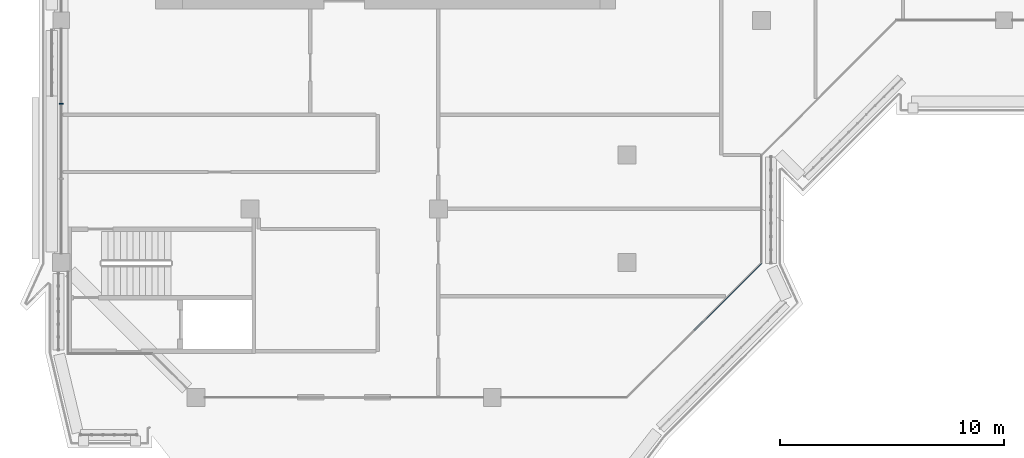
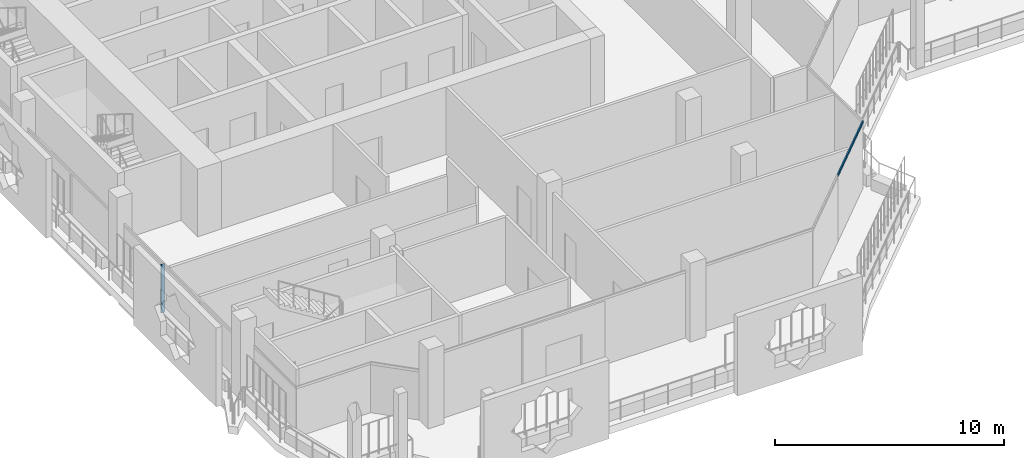
# One storey, part 3 of 21: 2 members, 2 elements without a shape of their own.
"""IFC4 building model written with IfcOpenShell, lengths in metres."""

from ifc_helpers import new_model, si_unit, direction, frame, origin, origin_2d, place, context, subcontext, project, spatial, rectangle, extrude, material, layer, layer_set, material_profile, profile_set, type_object, element, aggregate, save


model = new_model("IFC4")

# Units and contexts
model_context = context("Model", 3, precision=1e-05, world=origin(), true_north=direction((0.0, 1.0)))
body_context = subcontext(model_context, "Body", "Model", "MODEL_VIEW")
ifc_project = project(units=[si_unit("LENGTHUNIT", "METRE"), si_unit("AREAUNIT", "SQUARE_METRE"), si_unit("VOLUMEUNIT", "CUBIC_METRE"), si_unit("PLANEANGLEUNIT", "RADIAN"), si_unit("MASSUNIT", "GRAM", prefix="KILO")], contexts=[model_context])

# Site, building, storey
site_placement = place(None, origin())
site = spatial("IfcSite", under=ifc_project, at=site_placement, CompositionType="ELEMENT")
building_placement = place(site_placement, origin())
building = spatial("IfcBuilding", under=site, at=building_placement, Name="Kawkab Arch Medical Tower", CompositionType="ELEMENT")
storey_placement = place(building_placement, frame((0.0, 0.0, 319.60009765625)))
storey = spatial("IfcBuildingStorey", under=building, at=storey_placement, Name="L74", CompositionType="ELEMENT", Elevation=319.60009765625)

# Curtain wall, member
ifc_material_1 = material(Name="Bronze anodised aluminium curtain wall frame", Category="aluminium")
ifc_layer_1 = layer(ifc_material_1, 0.159912109375)
ifc_layer_set_1 = layer_set([ifc_layer_1], Name="Bronze anodised aluminium curtain wall frame")
curtain_wall_type_1 = type_object("IfcCurtainWallType", Name="CW1 ward curtain wall", PredefinedType="NOTDEFINED", material=ifc_layer_set_1)
placement = place(storey_placement, origin())
curtain_wall_1 = element("IfcCurtainWall", 1, at=placement, inside=storey, type_object=curtain_wall_type_1, Name="CW1 Ward curtain wall R02", PredefinedType="NOTDEFINED")
ifc_material_2 = material(Name="Bronze anodised aluminium curtain wall frame", Category="aluminium")
ifc_material_profile_1 = material_profile(ifc_material_2, rectangle(XDim=0.179931640625, YDim=0.06005859375, at=origin_2d()), Name="AL 60x180")
ifc_profile_set_1 = profile_set([ifc_material_profile_1], Name="Bronze anodised aluminium curtain wall frame")
member_type_1 = type_object("IfcMemberType", Name="CW1 mullion 60 x 180", PredefinedType="MULLION", material=ifc_profile_set_1)
member_1_placement = place(storey_placement, frame((0.0, -28.916748046875, 0.0), z_axis=(0.0, 0.0, 1.0), x_axis=(1.0, 0.0, 0.0)))
member_1 = element("IfcMember", 2, at=member_1_placement, type_object=member_type_1, Name="CW1 mullion 3.1", PredefinedType="MULLION", context=body_context, shape_type="SweptSolid", body=[
    extrude(rectangle(XDim=0.179931640625, YDim=0.06005859375, at=origin_2d()), origin(), (0.0, 0.0, 1.0), 2.579833984375),
])
aggregate(curtain_wall_1, [member_1])

ifc_material_3 = material(Name="Bronze anodised aluminium curtain wall frame", Category="aluminium")
ifc_layer_2 = layer(ifc_material_3, 0.159912109375)
ifc_layer_set_2 = layer_set([ifc_layer_2], Name="Bronze anodised aluminium curtain wall frame")
curtain_wall_type_2 = type_object("IfcCurtainWallType", Name="CW2 chamfer curtain wall", PredefinedType="NOTDEFINED", material=ifc_layer_set_2)
curtain_wall_2 = element("IfcCurtainWall", 3, at=placement, inside=storey, type_object=curtain_wall_type_2, Name="CW2 Chamfer curtain wall R08", PredefinedType="NOTDEFINED")
ifc_material_4 = material(Name="Bronze anodised aluminium curtain wall frame", Category="aluminium")
ifc_material_profile_2 = material_profile(ifc_material_4, rectangle(XDim=0.06005859375, YDim=0.139892578125, at=origin_2d()), Name="AL 60x140")
ifc_profile_set_2 = profile_set([ifc_material_profile_2], Name="Bronze anodised aluminium curtain wall frame")
member_type_2 = type_object("IfcMemberType", Name="CW2 transom 140 x 60", PredefinedType="USERDEFINED", material=ifc_profile_set_2)
member_2_placement = place(storey_placement, frame((28.199951171875, -39.0, 3.52978515625), z_axis=(0.707106781187, 0.707106781187, 0.0), x_axis=(-0.707106781187, 0.707106781187, 0.0)))
member_2 = element("IfcMember", 4, at=member_2_placement, type_object=member_type_2, Name="CW2 transom 2", ObjectType="TRANSOM", PredefinedType="USERDEFINED", context=body_context, shape_type="SweptSolid", body=[
    extrude(rectangle(XDim=0.06005859375, YDim=0.139892578125, at=origin_2d()), origin(), (0.0, 0.0, 1.0), 4.24267578125),
])
aggregate(curtain_wall_2, [member_2])

save(model, "model.ifc")
